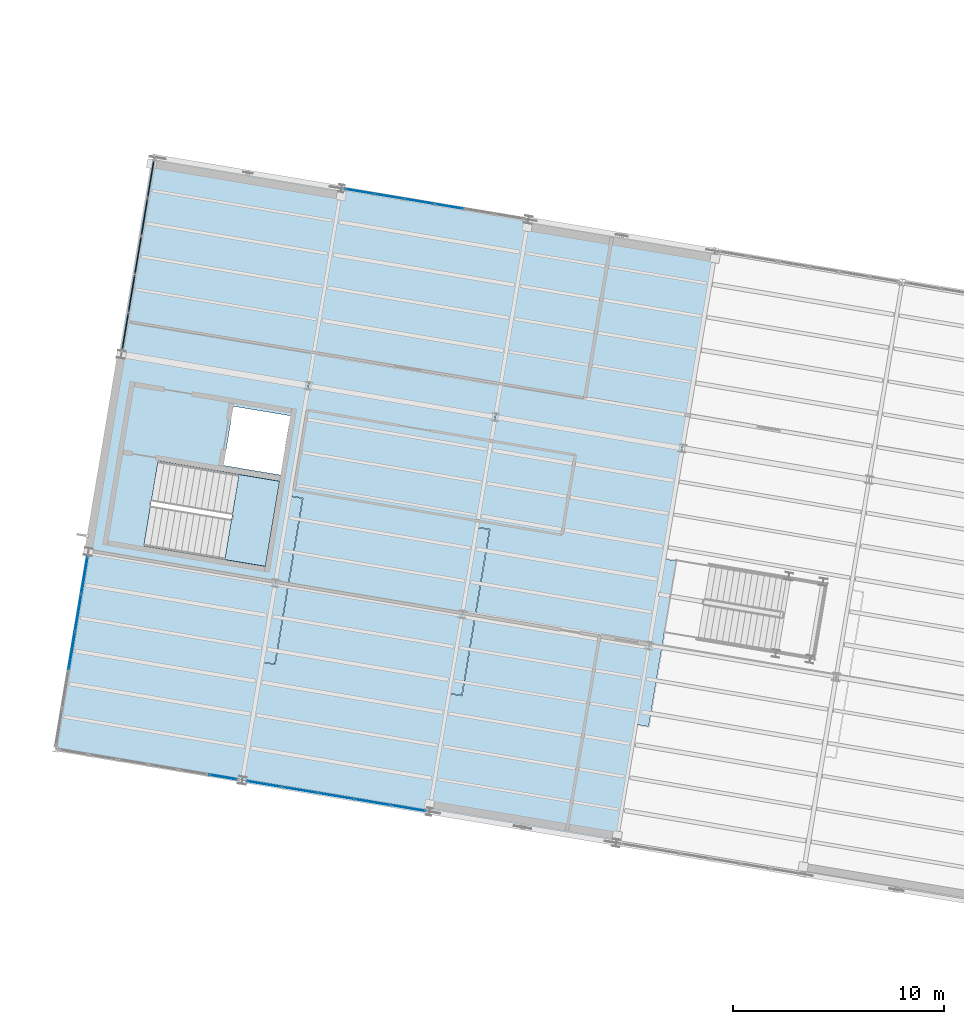
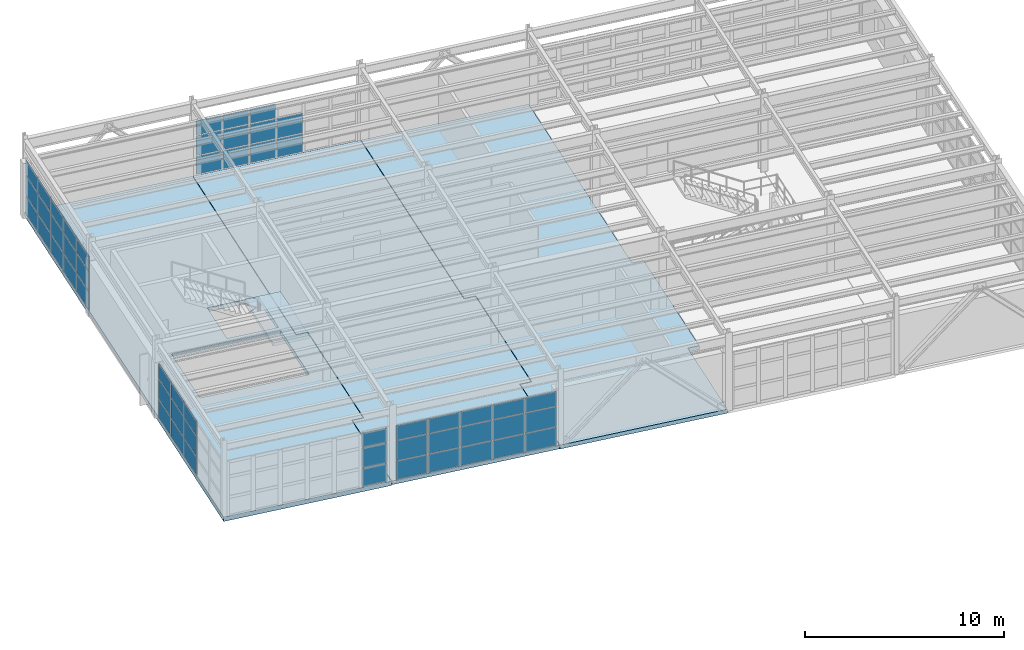
# One storey, part 69 of 109: 53 plates, 4 slabs, 6 elements without a shape of their own.
"""IFC4 building model written with IfcOpenShell, lengths in metres."""

import ifcopenshell
import ifcopenshell.guid

model = None  # the IFC model being written
_history = None  # IfcOwnerHistory: only IFC2X3 demands one
_inside = {}  # id of a spatial element -> (the spatial element, [elements in it])
_under = {}  # id of a project, library or spatial element -> (it, [spatial elements below it])
_declared = {}  # id of a project -> (the project, [libraries it declares])
_typed = {}  # id of a type object -> (the type object, [elements of that type])
_made_of = {}  # id of a material, layer set ... -> (it, [elements and type objects made of it])


def new_model(schema):
    """Start an empty IFC model of exactly this schema.

    Asked for "IFC4X3", IfcOpenShell would pick the latest addendum, in which some entities
    have other attributes; the version numbers below select the first issue.
    IFC2X3 requires an IfcOwnerHistory on every rooted entity: one is made here for all.
    """
    global model, _history
    if schema == "IFC4X3":
        model = ifcopenshell.file(schema_version=(4, 3, 0, 0))
    else:
        model = ifcopenshell.file(schema=schema)
    _inside.clear()
    _under.clear()
    _declared.clear()
    _typed.clear()
    _made_of.clear()
    _history = None
    if model.schema == "IFC2X3":
        org = make("IfcOrganization", Name="unknown")
        user = make(
            "IfcPersonAndOrganization",
            ThePerson=make("IfcPerson", FamilyName="unknown"),
            TheOrganization=org,
        )
        app = make(
            "IfcApplication",
            ApplicationDeveloper=org,
            Version="unknown",
            ApplicationFullName="unknown",
            ApplicationIdentifier="unknown",
        )
        _history = make(
            "IfcOwnerHistory",
            OwningUser=user,
            OwningApplication=app,
            ChangeAction="ADDED",
            CreationDate=0,
        )
    return model


def make(cls, **values):
    """One entity of the class cls with the attributes given. An attribute that is None is left unset."""
    return model.create_entity(
        cls, **{name: value for name, value in values.items() if value is not None}
    )


def rooted(cls, **values):
    """An entity with a GlobalId (a new one), such as an element, a storey or a relation."""
    return make(cls, GlobalId=ifcopenshell.guid.new(), OwnerHistory=_history, **values)


def si_unit(unit_type, name, prefix=None):
    """IfcSIUnit, for example si_unit("LENGTHUNIT", "METRE", prefix="MILLI")."""
    return make("IfcSIUnit", UnitType=unit_type, Prefix=prefix, Name=name)


def assignment(units):
    """IfcUnitAssignment: the units of a project."""
    return None if units is None else make("IfcUnitAssignment", Units=units)


def point(xyz):
    """IfcCartesianPoint."""
    return None if xyz is None else make("IfcCartesianPoint", Coordinates=xyz)


def direction(xyz):
    """IfcDirection."""
    return None if xyz is None else make("IfcDirection", DirectionRatios=xyz)


def frame(location, z_axis=None, x_axis=None):
    """IfcAxis2Placement3D, a coordinate frame: its origin and axes. An axis left out is left unset."""
    return make(
        "IfcAxis2Placement3D",
        Location=point(location),
        Axis=direction(z_axis),
        RefDirection=direction(x_axis),
    )


def frame_2d(location, x_axis=None):
    """IfcAxis2Placement2D, a coordinate frame in the plane: its origin and x axis."""
    return make(
        "IfcAxis2Placement2D", Location=point(location), RefDirection=direction(x_axis)
    )


def origin():
    """The frame at (0, 0, 0) with its axes left unset."""
    return frame((0.0, 0.0, 0.0))


def origin_2d():
    """The frame at (0, 0) in the plane with its x axis left unset."""
    return frame_2d((0.0, 0.0))


def place(relative_to, where):
    """IfcLocalPlacement: puts the frame where relative to a parent placement (None: the world)."""
    return make(
        "IfcLocalPlacement", PlacementRelTo=relative_to, RelativePlacement=where
    )


def context(
    kind, dimensions, precision=None, world=None, true_north=None, identifier=None
):
    """IfcGeometricRepresentationContext, for example the 3D "Model" context."""
    return make(
        "IfcGeometricRepresentationContext",
        ContextIdentifier=identifier,
        ContextType=kind,
        CoordinateSpaceDimension=dimensions,
        Precision=precision,
        WorldCoordinateSystem=world,
        TrueNorth=true_north,
    )


def subcontext(parent, identifier, kind, view, scale=None):
    """IfcGeometricRepresentationSubContext, for example "Body" below "Model"."""
    return make(
        "IfcGeometricRepresentationSubContext",
        ContextIdentifier=identifier,
        ContextType=kind,
        ParentContext=parent,
        TargetScale=scale,
        TargetView=view,
    )


def project(units=None, contexts=None):
    """IfcProject with its units and contexts."""
    return rooted(
        "IfcProject",
        Name="project",
        RepresentationContexts=contexts,
        UnitsInContext=assignment(units),
    )


def spatial(cls, under=None, at=None, **own):
    """A site, building, storey or space (cls), placed at a placement, below another one or the project."""
    s = rooted(cls, ObjectPlacement=at, **own)
    if under is not None:
        _under.setdefault(under.id(), (under, []))[1].append(s)
    return s


def polyline(points):
    """IfcPolyline through the points."""
    return make("IfcPolyline", Points=[point(p) for p in points])


def profile(cls, at=None, kind="AREA", **sizes):
    """A parametric profile (cls). Its sizes go by their IFC names, for example OverallWidth=200.0."""
    return make(cls, ProfileType=kind, Position=at, **sizes)


def rectangle(**sizes):
    """IfcRectangleProfileDef."""
    return profile("IfcRectangleProfileDef", **sizes)


def outline(outer, holes=None, kind="AREA"):
    """IfcArbitraryClosedProfileDef: a profile drawn as a closed curve; with holes, ...WithVoids."""
    if holes is None:
        return make("IfcArbitraryClosedProfileDef", ProfileType=kind, OuterCurve=outer)
    return make(
        "IfcArbitraryProfileDefWithVoids",
        ProfileType=kind,
        OuterCurve=outer,
        InnerCurves=holes,
    )


def extrude(swept, where, along, depth):
    """IfcExtrudedAreaSolid: the profile swept, set in the frame where, extruded along a direction by depth."""
    return make(
        "IfcExtrudedAreaSolid",
        SweptArea=swept,
        Position=where,
        ExtrudedDirection=direction(along),
        Depth=depth,
    )


def shape(context_of_items, identifier, shape_type, items):
    """IfcShapeRepresentation: the items that make up one representation, for example the "Body"."""
    return make(
        "IfcShapeRepresentation",
        ContextOfItems=context_of_items,
        RepresentationIdentifier=identifier,
        RepresentationType=shape_type,
        Items=items,
    )


def material(Name=None, Category=None):
    """IfcMaterial."""
    return make("IfcMaterial", Name=Name, Category=Category)


def layer(
    of_material, thickness, ventilated=None, Name=None, Category=None, Priority=None
):
    """IfcMaterialLayer: one layer of a wall or slab, of a material (None: an air gap)."""
    return make(
        "IfcMaterialLayer",
        Material=of_material,
        LayerThickness=thickness,
        IsVentilated=ventilated,
        Name=Name,
        Category=Category,
        Priority=Priority,
    )


def layer_set(layers, Name=None):
    """IfcMaterialLayerSet."""
    return make("IfcMaterialLayerSet", MaterialLayers=layers, LayerSetName=Name)


def made_of(thing, what):
    """Note that an element or type object is made of a material, layer set ...; save() writes the relation."""
    if what is not None:
        _made_of.setdefault(what.id(), (what, []))[1].append(thing)
    return thing


def type_object(cls, material=None, **own):
    """A type object (cls), such as IfcWallType, which elements share."""
    return made_of(rooted(cls, **own), material)


def element(
    cls,
    number,
    at=None,
    inside=None,
    cuts=None,
    type_object=None,
    material=None,
    context=None,
    identifier="Body",
    shape_type=None,
    held_by="IfcProductDefinitionShape",
    body=None,
    shapes=None,
    **own,
):
    """One element of the class cls, such as IfcWall. Its Tag is "e" and its number.

    at: its placement. inside: the storey or other place that contains it. cuts: it is an
    opening in that element (IfcRelVoidsElement). A single representation is given by context,
    identifier, shape_type and body (its items); several are given by shapes. held_by: the class
    of the entity that holds the representations. save() writes the other relations.
    """
    e = rooted(cls, Tag="e%d" % number, ObjectPlacement=at, **own)
    if body is not None:
        shapes = [shape(context, identifier, shape_type, body)]
    if shapes is not None:
        e.Representation = make(held_by, Representations=shapes)
    if inside is not None:
        _inside.setdefault(inside.id(), (inside, []))[1].append(e)
    if cuts is not None:
        rooted(
            "IfcRelVoidsElement", RelatingBuildingElement=cuts, RelatedOpeningElement=e
        )
    if type_object is not None:
        _typed.setdefault(type_object.id(), (type_object, []))[1].append(e)
    return made_of(e, material)


def aggregate(whole, parts):
    """IfcRelAggregates: a whole, such as a stair, and the parts it consists of."""
    return rooted("IfcRelAggregates", RelatingObject=whole, RelatedObjects=parts)


def save(model, path):
    """Write the relations noted so far, then the file.

    IfcRelAggregates (storeys below a building ...), IfcRelContainedInSpatialStructure (elements
    in a storey), IfcRelDefinesByType, IfcRelAssociatesMaterial and IfcRelDeclares: one each for
    every whole, place, type object, material and project.
    """
    for whole, parts in _under.values():
        aggregate(whole, parts)
    for where, things in _inside.values():
        rooted(
            "IfcRelContainedInSpatialStructure",
            RelatedElements=things,
            RelatingStructure=where,
        )
    for kind, things in _typed.values():
        rooted("IfcRelDefinesByType", RelatedObjects=things, RelatingType=kind)
    for what, things in _made_of.values():
        rooted("IfcRelAssociatesMaterial", RelatedObjects=things, RelatingMaterial=what)
    for by, libraries in _declared.values():
        rooted("IfcRelDeclares", RelatingContext=by, RelatedDefinitions=libraries)
    model.write(path)


model = new_model("IFC4")

# Units and contexts
model_context = context("Model", 3, precision=1e-05, world=origin(), true_north=direction((0.0, 1.0)))
body_context = subcontext(model_context, "Body", "Model", "MODEL_VIEW")
ifc_project = project(units=[si_unit("LENGTHUNIT", "METRE"), si_unit("AREAUNIT", "SQUARE_METRE"), si_unit("VOLUMEUNIT", "CUBIC_METRE"), si_unit("PLANEANGLEUNIT", "RADIAN"), si_unit("MASSUNIT", "GRAM", prefix="KILO")], contexts=[model_context])

# Site, building, storey
site_placement = place(None, origin())
site = spatial("IfcSite", under=ifc_project, at=site_placement, CompositionType="ELEMENT")
building_placement = place(site_placement, origin())
building = spatial("IfcBuilding", under=site, at=building_placement, Name="Vireo Bluff Cable Station", CompositionType="ELEMENT")
storey_placement = place(building_placement, frame((0.0, 0.0, 4.800048828125)))
storey = spatial("IfcBuildingStorey", under=building, at=storey_placement, Name="L01", CompositionType="ELEMENT", Elevation=4.800048828125)

# Curtain wall, plates
ifc_material_1 = material(Name="Anodized Aluminium 6063-T6", Category="aluminium")
ifc_layer_1 = layer(ifc_material_1, 0.179931640625, Name="Anodized Aluminium 6063-T6")
ifc_layer_set_1 = layer_set([ifc_layer_1], Name="Anodized Aluminium 6063-T6")
curtain_wall_type_1 = type_object("IfcCurtainWallType", Name="CW-UNIT-1400", PredefinedType="USERDEFINED", material=ifc_layer_set_1)
curtain_wall_1_placement = place(storey_placement, origin())
curtain_wall_1 = element("IfcCurtainWall", 1, at=curtain_wall_1_placement, inside=storey, type_object=curtain_wall_type_1, Name="V4 L01 north curtain wall CW-090", ObjectType="UNITISED CURTAIN WALL", PredefinedType="USERDEFINED")
ifc_material_2 = material(Name="Laminated Low-E Insulated Glass", Category="glass")
ifc_layer_2 = layer(ifc_material_2, 0.028076171875, Name="Laminated Low-E Insulated Glass")
ifc_layer_set_2 = layer_set([ifc_layer_2], Name="Laminated Low-E Insulated Glass")
plate_type_1 = type_object("IfcPlateType", Name="CWP-28-1", PredefinedType="CURTAIN_PANEL", material=ifc_layer_set_2)
plate_1_placement = place(storey_placement, frame((19.9375, 97.980224609375, 0.059814453125), z_axis=(0.0, 0.0, 1.0), x_axis=(0.986285618078, -0.165047507018, 0.0)))
plate_1 = element("IfcPlate", 2, at=plate_1_placement, type_object=plate_type_1, Name="CW-090 panel 1.1", PredefinedType="CURTAIN_PANEL", context=body_context, shape_type="SweptSolid", body=[
    extrude(rectangle(XDim=1.357177734375, YDim=0.028076171875, at=origin_2d()), origin(), (0.0, 0.0, 1.0), 1.10009765625),
])
plate_2_placement = place(storey_placement, frame((19.9375, 97.980224609375, 1.2197265625), z_axis=(0.0, 0.0, 1.0), x_axis=(0.986285618078, -0.165047507018, 0.0)))
plate_2 = element("IfcPlate", 3, at=plate_2_placement, type_object=plate_type_1, Name="CW-090 panel 1.2", PredefinedType="CURTAIN_PANEL", context=body_context, shape_type="SweptSolid", body=[
    extrude(rectangle(XDim=1.357177734375, YDim=0.028076171875, at=origin_2d()), origin(), (0.0, 0.0, 1.0), 1.197998046875),
])
plate_3_placement = place(storey_placement, frame((19.9375, 97.980224609375, 2.47802734375), z_axis=(0.0, 0.0, 1.0), x_axis=(0.986285618078, -0.165047507018, 0.0)))
plate_3 = element("IfcPlate", 4, at=plate_3_placement, type_object=plate_type_1, Name="CW-090 panel 1.3", PredefinedType="CURTAIN_PANEL", context=body_context, shape_type="SweptSolid", body=[
    extrude(rectangle(XDim=1.357177734375, YDim=0.028076171875, at=origin_2d()), origin(), (0.0, 0.0, 1.0), 0.862060546875),
])
plate_4_placement = place(storey_placement, frame((21.35009765625, 97.743896484375, 0.059814453125), z_axis=(0.0, 0.0, 1.0), x_axis=(0.986285618078, -0.165047507018, 0.0)))
plate_4 = element("IfcPlate", 5, at=plate_4_placement, type_object=plate_type_1, Name="CW-090 panel 2.1", PredefinedType="CURTAIN_PANEL", context=body_context, shape_type="SweptSolid", body=[
    extrude(rectangle(XDim=1.386962890625, YDim=0.028076171875, at=origin_2d()), origin(), (0.0, 0.0, 1.0), 1.10009765625),
])
plate_5_placement = place(storey_placement, frame((21.35009765625, 97.743896484375, 1.2197265625), z_axis=(0.0, 0.0, 1.0), x_axis=(0.986285618078, -0.165047507018, 0.0)))
plate_5 = element("IfcPlate", 6, at=plate_5_placement, type_object=plate_type_1, Name="CW-090 panel 2.2", PredefinedType="CURTAIN_PANEL", context=body_context, shape_type="SweptSolid", body=[
    extrude(rectangle(XDim=1.386962890625, YDim=0.028076171875, at=origin_2d()), origin(), (0.0, 0.0, 1.0), 1.197998046875),
])
plate_6_placement = place(storey_placement, frame((21.35009765625, 97.743896484375, 2.47802734375), z_axis=(0.0, 0.0, 1.0), x_axis=(0.986285618078, -0.165047507018, 0.0)))
plate_6 = element("IfcPlate", 7, at=plate_6_placement, type_object=plate_type_1, Name="CW-090 panel 2.3", PredefinedType="CURTAIN_PANEL", context=body_context, shape_type="SweptSolid", body=[
    extrude(rectangle(XDim=1.386962890625, YDim=0.028076171875, at=origin_2d()), origin(), (0.0, 0.0, 1.0), 0.862060546875),
])
plate_7_placement = place(storey_placement, frame((22.77734375, 97.505126953125, 0.059814453125), z_axis=(0.0, 0.0, 1.0), x_axis=(0.986285618078, -0.165047507018, 0.0)))
plate_7 = element("IfcPlate", 8, at=plate_7_placement, type_object=plate_type_1, Name="CW-090 panel 3.1", PredefinedType="CURTAIN_PANEL", context=body_context, shape_type="SweptSolid", body=[
    extrude(rectangle(XDim=1.386962890625, YDim=0.028076171875, at=origin_2d()), origin(), (0.0, 0.0, 1.0), 1.10009765625),
])
plate_8_placement = place(storey_placement, frame((22.77734375, 97.505126953125, 1.2197265625), z_axis=(0.0, 0.0, 1.0), x_axis=(0.986285618078, -0.165047507018, 0.0)))
plate_8 = element("IfcPlate", 9, at=plate_8_placement, type_object=plate_type_1, Name="CW-090 panel 3.2", PredefinedType="CURTAIN_PANEL", context=body_context, shape_type="SweptSolid", body=[
    extrude(rectangle(XDim=1.386962890625, YDim=0.028076171875, at=origin_2d()), origin(), (0.0, 0.0, 1.0), 1.197998046875),
])
plate_9_placement = place(storey_placement, frame((22.77734375, 97.505126953125, 2.47802734375), z_axis=(0.0, 0.0, 1.0), x_axis=(0.986285618078, -0.165047507018, 0.0)))
plate_9 = element("IfcPlate", 10, at=plate_9_placement, type_object=plate_type_1, Name="CW-090 panel 3.3", PredefinedType="CURTAIN_PANEL", context=body_context, shape_type="SweptSolid", body=[
    extrude(rectangle(XDim=1.386962890625, YDim=0.028076171875, at=origin_2d()), origin(), (0.0, 0.0, 1.0), 0.862060546875),
])
plate_10_placement = place(storey_placement, frame((24.20458984375, 97.266357421875, 0.059814453125), z_axis=(0.0, 0.0, 1.0), x_axis=(0.986285618078, -0.165047507018, 0.0)))
plate_10 = element("IfcPlate", 11, at=plate_10_placement, type_object=plate_type_1, Name="CW-090 panel 4.1", PredefinedType="CURTAIN_PANEL", context=body_context, shape_type="SweptSolid", body=[
    extrude(rectangle(XDim=1.386962890625, YDim=0.028076171875, at=origin_2d()), origin(), (0.0, 0.0, 1.0), 1.10009765625),
])
plate_11_placement = place(storey_placement, frame((24.20458984375, 97.266357421875, 1.2197265625), z_axis=(0.0, 0.0, 1.0), x_axis=(0.986285618078, -0.165047507018, 0.0)))
plate_11 = element("IfcPlate", 12, at=plate_11_placement, type_object=plate_type_1, Name="CW-090 panel 4.2", PredefinedType="CURTAIN_PANEL", context=body_context, shape_type="SweptSolid", body=[
    extrude(rectangle(XDim=1.386962890625, YDim=0.028076171875, at=origin_2d()), origin(), (0.0, 0.0, 1.0), 1.197998046875),
])
aggregate(curtain_wall_1, [plate_1, plate_2, plate_3, plate_4, plate_5, plate_6, plate_7, plate_8, plate_9, plate_10, plate_11])

ifc_layer_3 = layer(ifc_material_1, 0.179931640625, Name="Anodized Aluminium 6063-T6")
ifc_layer_set_3 = layer_set([ifc_layer_3], Name="Anodized Aluminium 6063-T6")
curtain_wall_type_2 = type_object("IfcCurtainWallType", Name="CW-UNIT-1650", PredefinedType="USERDEFINED", material=ifc_layer_set_3)
curtain_wall_2_placement = place(storey_placement, origin())
curtain_wall_2 = element("IfcCurtainWall", 13, at=curtain_wall_2_placement, inside=storey, type_object=curtain_wall_type_2, Name="V4 L01 south curtain wall CW-086", ObjectType="UNITISED CURTAIN WALL", PredefinedType="USERDEFINED")
ifc_layer_4 = layer(ifc_material_2, 0.031982421875, Name="Laminated Low-E Insulated Glass")
ifc_layer_set_4 = layer_set([ifc_layer_4], Name="Laminated Low-E Insulated Glass")
plate_type_2 = type_object("IfcPlateType", Name="CWP-32-2", PredefinedType="CURTAIN_PANEL", material=ifc_layer_set_4)
plate_12_placement = place(storey_placement, frame((22.253173828125, 68.696533203125, 0.059814453125), z_axis=(0.0, 0.0, 1.0), x_axis=(-0.986285599328, 0.165047619064, 0.0)))
plate_12 = element("IfcPlate", 14, at=plate_12_placement, type_object=plate_type_2, Name="CW-086 panel 1.1", PredefinedType="CURTAIN_PANEL", context=body_context, shape_type="SweptSolid", body=[
    extrude(rectangle(XDim=1.646484375, YDim=0.031982421875, at=origin_2d()), origin(), (0.0, 0.0, 1.0), 1.10009765625),
])
plate_13_placement = place(storey_placement, frame((22.253173828125, 68.696533203125, 1.2197265625), z_axis=(0.0, 0.0, 1.0), x_axis=(-0.986285599328, 0.165047619064, 0.0)))
plate_13 = element("IfcPlate", 15, at=plate_13_placement, type_object=plate_type_2, Name="CW-086 panel 1.2", PredefinedType="CURTAIN_PANEL", context=body_context, shape_type="SweptSolid", body=[
    extrude(rectangle(XDim=1.646484375, YDim=0.031982421875, at=origin_2d()), origin(), (0.0, 0.0, 1.0), 1.197998046875),
])
plate_14_placement = place(storey_placement, frame((22.253173828125, 68.696533203125, 2.47802734375), z_axis=(0.0, 0.0, 1.0), x_axis=(-0.986285599328, 0.165047619064, 0.0)))
plate_14 = element("IfcPlate", 16, at=plate_14_placement, type_object=plate_type_2, Name="CW-086 panel 1.3", PredefinedType="CURTAIN_PANEL", context=body_context, shape_type="SweptSolid", body=[
    extrude(rectangle(XDim=1.646484375, YDim=0.031982421875, at=origin_2d()), origin(), (0.0, 0.0, 1.0), 0.862060546875),
])
plate_15_placement = place(storey_placement, frame((20.555419921875, 68.98046875, 0.059814453125), z_axis=(0.0, 0.0, 1.0), x_axis=(-0.986285599328, 0.165047619064, 0.0)))
plate_15 = element("IfcPlate", 17, at=plate_15_placement, type_object=plate_type_2, Name="CW-086 panel 2.1", PredefinedType="CURTAIN_PANEL", context=body_context, shape_type="SweptSolid", body=[
    extrude(rectangle(XDim=1.676513671875, YDim=0.031982421875, at=origin_2d()), origin(), (0.0, 0.0, 1.0), 1.10009765625),
])
plate_16_placement = place(storey_placement, frame((20.555419921875, 68.98046875, 1.2197265625), z_axis=(0.0, 0.0, 1.0), x_axis=(-0.986285599328, 0.165047619064, 0.0)))
plate_16 = element("IfcPlate", 18, at=plate_16_placement, type_object=plate_type_2, Name="CW-086 panel 2.2", PredefinedType="CURTAIN_PANEL", context=body_context, shape_type="SweptSolid", body=[
    extrude(rectangle(XDim=1.676513671875, YDim=0.031982421875, at=origin_2d()), origin(), (0.0, 0.0, 1.0), 1.197998046875),
])
plate_17_placement = place(storey_placement, frame((20.555419921875, 68.98046875, 2.47802734375), z_axis=(0.0, 0.0, 1.0), x_axis=(-0.986285599328, 0.165047619064, 0.0)))
plate_17 = element("IfcPlate", 19, at=plate_17_placement, type_object=plate_type_2, Name="CW-086 panel 2.3", PredefinedType="CURTAIN_PANEL", context=body_context, shape_type="SweptSolid", body=[
    extrude(rectangle(XDim=1.676513671875, YDim=0.031982421875, at=origin_2d()), origin(), (0.0, 0.0, 1.0), 0.862060546875),
])
plate_18_placement = place(storey_placement, frame((18.8427734375, 69.26708984375, 0.059814453125), z_axis=(0.0, 0.0, 1.0), x_axis=(-0.986285599328, 0.165047619064, 0.0)))
plate_18 = element("IfcPlate", 20, at=plate_18_placement, type_object=plate_type_2, Name="CW-086 panel 3.1", PredefinedType="CURTAIN_PANEL", context=body_context, shape_type="SweptSolid", body=[
    extrude(rectangle(XDim=1.676513671875, YDim=0.031982421875, at=origin_2d()), origin(), (0.0, 0.0, 1.0), 1.10009765625),
])
plate_19_placement = place(storey_placement, frame((18.8427734375, 69.26708984375, 1.2197265625), z_axis=(0.0, 0.0, 1.0), x_axis=(-0.986285599328, 0.165047619064, 0.0)))
plate_19 = element("IfcPlate", 21, at=plate_19_placement, type_object=plate_type_2, Name="CW-086 panel 3.2", PredefinedType="CURTAIN_PANEL", context=body_context, shape_type="SweptSolid", body=[
    extrude(rectangle(XDim=1.676513671875, YDim=0.031982421875, at=origin_2d()), origin(), (0.0, 0.0, 1.0), 1.197998046875),
])
plate_20_placement = place(storey_placement, frame((18.8427734375, 69.26708984375, 2.47802734375), z_axis=(0.0, 0.0, 1.0), x_axis=(-0.986285599328, 0.165047619064, 0.0)))
plate_20 = element("IfcPlate", 22, at=plate_20_placement, type_object=plate_type_2, Name="CW-086 panel 3.3", PredefinedType="CURTAIN_PANEL", context=body_context, shape_type="SweptSolid", body=[
    extrude(rectangle(XDim=1.676513671875, YDim=0.031982421875, at=origin_2d()), origin(), (0.0, 0.0, 1.0), 0.862060546875),
])
plate_21_placement = place(storey_placement, frame((17.130126953125, 69.5537109375, 0.059814453125), z_axis=(0.0, 0.0, 1.0), x_axis=(-0.986285599328, 0.165047619064, 0.0)))
plate_21 = element("IfcPlate", 23, at=plate_21_placement, type_object=plate_type_2, Name="CW-086 panel 4.1", PredefinedType="CURTAIN_PANEL", context=body_context, shape_type="SweptSolid", body=[
    extrude(rectangle(XDim=1.676513671875, YDim=0.031982421875, at=origin_2d()), origin(), (0.0, 0.0, 1.0), 1.10009765625),
])
plate_22_placement = place(storey_placement, frame((17.130126953125, 69.5537109375, 1.2197265625), z_axis=(0.0, 0.0, 1.0), x_axis=(-0.986285599328, 0.165047619064, 0.0)))
plate_22 = element("IfcPlate", 24, at=plate_22_placement, type_object=plate_type_2, Name="CW-086 panel 4.2", PredefinedType="CURTAIN_PANEL", context=body_context, shape_type="SweptSolid", body=[
    extrude(rectangle(XDim=1.676513671875, YDim=0.031982421875, at=origin_2d()), origin(), (0.0, 0.0, 1.0), 1.197998046875),
])
plate_23_placement = place(storey_placement, frame((17.130126953125, 69.5537109375, 2.47802734375), z_axis=(0.0, 0.0, 1.0), x_axis=(-0.986285599328, 0.165047619064, 0.0)))
plate_23 = element("IfcPlate", 25, at=plate_23_placement, type_object=plate_type_2, Name="CW-086 panel 4.3", PredefinedType="CURTAIN_PANEL", context=body_context, shape_type="SweptSolid", body=[
    extrude(rectangle(XDim=1.676513671875, YDim=0.031982421875, at=origin_2d()), origin(), (0.0, 0.0, 1.0), 0.862060546875),
])
plate_24_placement = place(storey_placement, frame((15.43212890625, 69.837890625, 0.059814453125), z_axis=(0.0, 0.0, 1.0), x_axis=(-0.986285599328, 0.165047619064, 0.0)))
plate_24 = element("IfcPlate", 26, at=plate_24_placement, type_object=plate_type_2, Name="CW-086 panel 5.1", PredefinedType="CURTAIN_PANEL", context=body_context, shape_type="SweptSolid", body=[
    extrude(rectangle(XDim=1.646484375, YDim=0.031982421875, at=origin_2d()), origin(), (0.0, 0.0, 1.0), 1.10009765625),
])
plate_25_placement = place(storey_placement, frame((15.43212890625, 69.837890625, 1.2197265625), z_axis=(0.0, 0.0, 1.0), x_axis=(-0.986285599328, 0.165047619064, 0.0)))
plate_25 = element("IfcPlate", 27, at=plate_25_placement, type_object=plate_type_2, Name="CW-086 panel 5.2", PredefinedType="CURTAIN_PANEL", context=body_context, shape_type="SweptSolid", body=[
    extrude(rectangle(XDim=1.646484375, YDim=0.031982421875, at=origin_2d()), origin(), (0.0, 0.0, 1.0), 1.197998046875),
])
plate_26_placement = place(storey_placement, frame((15.43212890625, 69.837890625, 2.47802734375), z_axis=(0.0, 0.0, 1.0), x_axis=(-0.986285599328, 0.165047619064, 0.0)))
plate_26 = element("IfcPlate", 28, at=plate_26_placement, type_object=plate_type_2, Name="CW-086 panel 5.3", PredefinedType="CURTAIN_PANEL", context=body_context, shape_type="SweptSolid", body=[
    extrude(rectangle(XDim=1.646484375, YDim=0.031982421875, at=origin_2d()), origin(), (0.0, 0.0, 1.0), 0.862060546875),
])
aggregate(curtain_wall_2, [plate_12, plate_13, plate_14, plate_15, plate_16, plate_17, plate_18, plate_19, plate_20, plate_21, plate_22, plate_23, plate_24, plate_25, plate_26])

curtain_wall_3_placement = place(storey_placement, origin())
curtain_wall_3 = element("IfcCurtainWall", 29, at=curtain_wall_3_placement, inside=storey, type_object=curtain_wall_type_1, Name="V4 L01 south curtain wall CW-087", ObjectType="UNITISED CURTAIN WALL", PredefinedType="USERDEFINED")
ifc_layer_5 = layer(ifc_material_2, 0.035888671875, Name="Laminated Low-E Insulated Glass")
ifc_layer_set_5 = layer_set([ifc_layer_5], Name="Laminated Low-E Insulated Glass")
plate_type_3 = type_object("IfcPlateType", Name="CWP-36-3", PredefinedType="CURTAIN_PANEL", material=ifc_layer_set_5)
plate_27_placement = place(storey_placement, frame((13.458740234375, 70.168212890625, 0.080078125), z_axis=(0.0, 0.0, 1.0), x_axis=(-0.986285599325, 0.165047619081, 0.0)))
plate_27 = element("IfcPlate", 30, at=plate_27_placement, type_object=plate_type_3, Name="CW-087 panel 1.1", PredefinedType="CURTAIN_PANEL", context=body_context, shape_type="SweptSolid", body=[
    extrude(rectangle(XDim=1.3271484375, YDim=0.035888671875, at=origin_2d()), origin(), (0.0, 0.0, 1.0), 1.070068359375),
])
plate_28_placement = place(storey_placement, frame((13.458740234375, 70.168212890625, 1.22998046875), z_axis=(0.0, 0.0, 1.0), x_axis=(-0.986285599325, 0.165047619081, 0.0)))
plate_28 = element("IfcPlate", 31, at=plate_28_placement, type_object=plate_type_3, Name="CW-087 panel 1.2", PredefinedType="CURTAIN_PANEL", context=body_context, shape_type="SweptSolid", body=[
    extrude(rectangle(XDim=1.3271484375, YDim=0.035888671875, at=origin_2d()), origin(), (0.0, 0.0, 1.0), 1.177978515625),
])
plate_29_placement = place(storey_placement, frame((13.458740234375, 70.168212890625, 2.488037109375), z_axis=(0.0, 0.0, 1.0), x_axis=(-0.986285599325, 0.165047619081, 0.0)))
plate_29 = element("IfcPlate", 32, at=plate_29_placement, type_object=plate_type_3, Name="CW-087 panel 1.3", PredefinedType="CURTAIN_PANEL", context=body_context, shape_type="SweptSolid", body=[
    extrude(rectangle(XDim=1.3271484375, YDim=0.035888671875, at=origin_2d()), origin(), (0.0, 0.0, 1.0), 0.83203125),
])
aggregate(curtain_wall_3, [plate_27, plate_28, plate_29])

ifc_layer_6 = layer(ifc_material_1, 0.159912109375, Name="Anodized Aluminium 6063-T6")
ifc_layer_set_6 = layer_set([ifc_layer_6], Name="Anodized Aluminium 6063-T6")
curtain_wall_type_3 = type_object("IfcCurtainWallType", Name="CW-STICK-1750", PredefinedType="USERDEFINED", material=ifc_layer_set_6)
curtain_wall_4_placement = place(storey_placement, origin())
curtain_wall_4 = element("IfcCurtainWall", 33, at=curtain_wall_4_placement, inside=storey, type_object=curtain_wall_type_3, Name="V4 L01 west curtain wall CW-088", ObjectType="STICK CURTAIN WALL", PredefinedType="USERDEFINED")
ifc_material_3 = material(Name="Insulated Spandrel Glass Panel", Category="glass")
ifc_layer_7 = layer(ifc_material_3, 0.0419921875, Name="Insulated Spandrel Glass Panel")
ifc_layer_set_7 = layer_set([ifc_layer_7], Name="Insulated Spandrel Glass Panel")
plate_type_4 = type_object("IfcPlateType", Name="CWP-42-4", PredefinedType="CURTAIN_PANEL", material=ifc_layer_set_7)
plate_30_placement = place(storey_placement, frame((6.27978515625, 76.1591796875, 0.06494140625), z_axis=(0.0, 0.0, 1.0), x_axis=(0.165047670998, 0.986285590637, 0.0)))
plate_30 = element("IfcPlate", 34, at=plate_30_placement, type_object=plate_type_4, Name="CW-088 panel 3.1", PredefinedType="CURTAIN_PANEL", context=body_context, shape_type="SweptSolid", body=[
    extrude(rectangle(XDim=1.772705078125, YDim=0.0419921875, at=origin_2d()), origin(), (0.0, 0.0, 1.0), 1.092529296875),
])
plate_31_placement = place(storey_placement, frame((6.27978515625, 76.1591796875, 1.22216796875), z_axis=(0.0, 0.0, 1.0), x_axis=(0.165047670998, 0.986285590637, 0.0)))
plate_31 = element("IfcPlate", 35, at=plate_31_placement, type_object=plate_type_4, Name="CW-088 panel 3.2", PredefinedType="CURTAIN_PANEL", context=body_context, shape_type="SweptSolid", body=[
    extrude(rectangle(XDim=1.772705078125, YDim=0.0419921875, at=origin_2d()), origin(), (0.0, 0.0, 1.0), 1.193115234375),
])
plate_32_placement = place(storey_placement, frame((6.27978515625, 76.1591796875, 2.48046875), z_axis=(0.0, 0.0, 1.0), x_axis=(0.165047670998, 0.986285590637, 0.0)))
plate_32 = element("IfcPlate", 36, at=plate_32_placement, type_object=plate_type_4, Name="CW-088 panel 3.3", PredefinedType="CURTAIN_PANEL", context=body_context, shape_type="SweptSolid", body=[
    extrude(rectangle(XDim=1.772705078125, YDim=0.0419921875, at=origin_2d()), origin(), (0.0, 0.0, 1.0), 0.8544921875),
])
plate_33_placement = place(storey_placement, frame((6.5830078125, 77.9716796875, 0.06494140625), z_axis=(0.0, 0.0, 1.0), x_axis=(0.165047670998, 0.986285590637, 0.0)))
plate_33 = element("IfcPlate", 37, at=plate_33_placement, type_object=plate_type_4, Name="CW-088 panel 4.1", PredefinedType="CURTAIN_PANEL", context=body_context, shape_type="SweptSolid", body=[
    extrude(rectangle(XDim=1.772705078125, YDim=0.0419921875, at=origin_2d()), origin(), (0.0, 0.0, 1.0), 1.092529296875),
])
plate_34_placement = place(storey_placement, frame((6.5830078125, 77.9716796875, 1.22216796875), z_axis=(0.0, 0.0, 1.0), x_axis=(0.165047670998, 0.986285590637, 0.0)))
plate_34 = element("IfcPlate", 38, at=plate_34_placement, type_object=plate_type_4, Name="CW-088 panel 4.2", PredefinedType="CURTAIN_PANEL", context=body_context, shape_type="SweptSolid", body=[
    extrude(rectangle(XDim=1.772705078125, YDim=0.0419921875, at=origin_2d()), origin(), (0.0, 0.0, 1.0), 1.193115234375),
])
plate_35_placement = place(storey_placement, frame((6.5830078125, 77.9716796875, 2.48046875), z_axis=(0.0, 0.0, 1.0), x_axis=(0.165047670998, 0.986285590637, 0.0)))
plate_35 = element("IfcPlate", 39, at=plate_35_placement, type_object=plate_type_4, Name="CW-088 panel 4.3", PredefinedType="CURTAIN_PANEL", context=body_context, shape_type="SweptSolid", body=[
    extrude(rectangle(XDim=1.772705078125, YDim=0.0419921875, at=origin_2d()), origin(), (0.0, 0.0, 1.0), 0.8544921875),
])
plate_36_placement = place(storey_placement, frame((6.883544921875, 79.76806640625, 0.06494140625), z_axis=(0.0, 0.0, 1.0), x_axis=(0.165047670998, 0.986285590637, 0.0)))
plate_36 = element("IfcPlate", 40, at=plate_36_placement, type_object=plate_type_4, Name="CW-088 panel 5.1", PredefinedType="CURTAIN_PANEL", context=body_context, shape_type="SweptSolid", body=[
    extrude(rectangle(XDim=1.739990234375, YDim=0.0419921875, at=origin_2d()), origin(), (0.0, 0.0, 1.0), 1.092529296875),
])
plate_37_placement = place(storey_placement, frame((6.883544921875, 79.76806640625, 1.22216796875), z_axis=(0.0, 0.0, 1.0), x_axis=(0.165047670998, 0.986285590637, 0.0)))
plate_37 = element("IfcPlate", 41, at=plate_37_placement, type_object=plate_type_4, Name="CW-088 panel 5.2", PredefinedType="CURTAIN_PANEL", context=body_context, shape_type="SweptSolid", body=[
    extrude(rectangle(XDim=1.739990234375, YDim=0.0419921875, at=origin_2d()), origin(), (0.0, 0.0, 1.0), 1.193115234375),
])
plate_38_placement = place(storey_placement, frame((6.883544921875, 79.76806640625, 2.48046875), z_axis=(0.0, 0.0, 1.0), x_axis=(0.165047670998, 0.986285590637, 0.0)))
plate_38 = element("IfcPlate", 42, at=plate_38_placement, type_object=plate_type_4, Name="CW-088 panel 5.3", PredefinedType="CURTAIN_PANEL", context=body_context, shape_type="SweptSolid", body=[
    extrude(rectangle(XDim=1.739990234375, YDim=0.0419921875, at=origin_2d()), origin(), (0.0, 0.0, 1.0), 0.8544921875),
])
aggregate(curtain_wall_4, [plate_30, plate_31, plate_32, plate_33, plate_34, plate_35, plate_36, plate_37, plate_38])

ifc_layer_8 = layer(ifc_material_1, 0.159912109375, Name="Anodized Aluminium 6063-T6")
ifc_layer_set_8 = layer_set([ifc_layer_8], Name="Anodized Aluminium 6063-T6")
curtain_wall_type_4 = type_object("IfcCurtainWallType", Name="CW-STICK-1850", PredefinedType="USERDEFINED", material=ifc_layer_set_8)
curtain_wall_5_placement = place(storey_placement, origin())
curtain_wall_5 = element("IfcCurtainWall", 43, at=curtain_wall_5_placement, inside=storey, type_object=curtain_wall_type_4, Name="V4 L01 west curtain wall CW-089", ObjectType="STICK CURTAIN WALL", PredefinedType="USERDEFINED")
ifc_layer_9 = layer(ifc_material_3, 0.048095703125, Name="Insulated Spandrel Glass Panel")
ifc_layer_set_9 = layer_set([ifc_layer_9], Name="Insulated Spandrel Glass Panel")
plate_type_5 = type_object("IfcPlateType", Name="CWP-48-5", PredefinedType="CURTAIN_PANEL", material=ifc_layer_set_9)
plate_39_placement = place(storey_placement, frame((8.820556640625, 91.343505859375, 0.0751953125), z_axis=(0.0, 0.0, 1.0), x_axis=(0.165047618048, 0.986285599498, 0.0)))
plate_39 = element("IfcPlate", 44, at=plate_39_placement, type_object=plate_type_5, Name="CW-089 panel 1.1", PredefinedType="CURTAIN_PANEL", context=body_context, shape_type="SweptSolid", body=[
    extrude(rectangle(XDim=1.72509765625, YDim=0.048095703125, at=origin_2d()), origin(), (0.0, 0.0, 1.0), 1.077392578125),
])
plate_40_placement = place(storey_placement, frame((8.820556640625, 91.343505859375, 1.227294921875), z_axis=(0.0, 0.0, 1.0), x_axis=(0.165047618048, 0.986285599498, 0.0)))
plate_40 = element("IfcPlate", 45, at=plate_40_placement, type_object=plate_type_5, Name="CW-089 panel 1.2", PredefinedType="CURTAIN_PANEL", context=body_context, shape_type="SweptSolid", body=[
    extrude(rectangle(XDim=1.72509765625, YDim=0.048095703125, at=origin_2d()), origin(), (0.0, 0.0, 1.0), 1.18310546875),
])
plate_41_placement = place(storey_placement, frame((8.820556640625, 91.343505859375, 2.4853515625), z_axis=(0.0, 0.0, 1.0), x_axis=(0.165047618048, 0.986285599498, 0.0)))
plate_41 = element("IfcPlate", 46, at=plate_41_placement, type_object=plate_type_5, Name="CW-089 panel 1.3", PredefinedType="CURTAIN_PANEL", context=body_context, shape_type="SweptSolid", body=[
    extrude(rectangle(XDim=1.72509765625, YDim=0.048095703125, at=origin_2d()), origin(), (0.0, 0.0, 1.0), 0.839599609375),
])
plate_42_placement = place(storey_placement, frame((9.120849609375, 93.137451171875, 0.0751953125), z_axis=(0.0, 0.0, 1.0), x_axis=(0.165047618048, 0.986285599498, 0.0)))
plate_42 = element("IfcPlate", 47, at=plate_42_placement, type_object=plate_type_5, Name="CW-089 panel 2.1", PredefinedType="CURTAIN_PANEL", context=body_context, shape_type="SweptSolid", body=[
    extrude(rectangle(XDim=1.762451171875, YDim=0.048095703125, at=origin_2d()), origin(), (0.0, 0.0, 1.0), 1.077392578125),
])
plate_43_placement = place(storey_placement, frame((9.120849609375, 93.137451171875, 1.227294921875), z_axis=(0.0, 0.0, 1.0), x_axis=(0.165047618048, 0.986285599498, 0.0)))
plate_43 = element("IfcPlate", 48, at=plate_43_placement, type_object=plate_type_5, Name="CW-089 panel 2.2", PredefinedType="CURTAIN_PANEL", context=body_context, shape_type="SweptSolid", body=[
    extrude(rectangle(XDim=1.762451171875, YDim=0.048095703125, at=origin_2d()), origin(), (0.0, 0.0, 1.0), 1.18310546875),
])
plate_44_placement = place(storey_placement, frame((9.120849609375, 93.137451171875, 2.4853515625), z_axis=(0.0, 0.0, 1.0), x_axis=(0.165047618048, 0.986285599498, 0.0)))
plate_44 = element("IfcPlate", 49, at=plate_44_placement, type_object=plate_type_5, Name="CW-089 panel 2.3", PredefinedType="CURTAIN_PANEL", context=body_context, shape_type="SweptSolid", body=[
    extrude(rectangle(XDim=1.762451171875, YDim=0.048095703125, at=origin_2d()), origin(), (0.0, 0.0, 1.0), 0.839599609375),
])
plate_45_placement = place(storey_placement, frame((9.424072265625, 94.94970703125, 0.0751953125), z_axis=(0.0, 0.0, 1.0), x_axis=(0.165047618048, 0.986285599498, 0.0)))
plate_45 = element("IfcPlate", 50, at=plate_45_placement, type_object=plate_type_5, Name="CW-089 panel 3.1", PredefinedType="CURTAIN_PANEL", context=body_context, shape_type="SweptSolid", body=[
    extrude(rectangle(XDim=1.762451171875, YDim=0.048095703125, at=origin_2d()), origin(), (0.0, 0.0, 1.0), 1.077392578125),
])
plate_46_placement = place(storey_placement, frame((9.424072265625, 94.94970703125, 1.227294921875), z_axis=(0.0, 0.0, 1.0), x_axis=(0.165047618048, 0.986285599498, 0.0)))
plate_46 = element("IfcPlate", 51, at=plate_46_placement, type_object=plate_type_5, Name="CW-089 panel 3.2", PredefinedType="CURTAIN_PANEL", context=body_context, shape_type="SweptSolid", body=[
    extrude(rectangle(XDim=1.762451171875, YDim=0.048095703125, at=origin_2d()), origin(), (0.0, 0.0, 1.0), 1.18310546875),
])
plate_47_placement = place(storey_placement, frame((9.424072265625, 94.94970703125, 2.4853515625), z_axis=(0.0, 0.0, 1.0), x_axis=(0.165047618048, 0.986285599498, 0.0)))
plate_47 = element("IfcPlate", 52, at=plate_47_placement, type_object=plate_type_5, Name="CW-089 panel 3.3", PredefinedType="CURTAIN_PANEL", context=body_context, shape_type="SweptSolid", body=[
    extrude(rectangle(XDim=1.762451171875, YDim=0.048095703125, at=origin_2d()), origin(), (0.0, 0.0, 1.0), 0.839599609375),
])
plate_48_placement = place(storey_placement, frame((9.727294921875, 96.761962890625, 0.0751953125), z_axis=(0.0, 0.0, 1.0), x_axis=(0.165047618048, 0.986285599498, 0.0)))
plate_48 = element("IfcPlate", 53, at=plate_48_placement, type_object=plate_type_5, Name="CW-089 panel 4.1", PredefinedType="CURTAIN_PANEL", context=body_context, shape_type="SweptSolid", body=[
    extrude(rectangle(XDim=1.762451171875, YDim=0.048095703125, at=origin_2d()), origin(), (0.0, 0.0, 1.0), 1.077392578125),
])
plate_49_placement = place(storey_placement, frame((9.727294921875, 96.761962890625, 1.227294921875), z_axis=(0.0, 0.0, 1.0), x_axis=(0.165047618048, 0.986285599498, 0.0)))
plate_49 = element("IfcPlate", 54, at=plate_49_placement, type_object=plate_type_5, Name="CW-089 panel 4.2", PredefinedType="CURTAIN_PANEL", context=body_context, shape_type="SweptSolid", body=[
    extrude(rectangle(XDim=1.762451171875, YDim=0.048095703125, at=origin_2d()), origin(), (0.0, 0.0, 1.0), 1.18310546875),
])
plate_50_placement = place(storey_placement, frame((9.727294921875, 96.761962890625, 2.4853515625), z_axis=(0.0, 0.0, 1.0), x_axis=(0.165047618048, 0.986285599498, 0.0)))
plate_50 = element("IfcPlate", 55, at=plate_50_placement, type_object=plate_type_5, Name="CW-089 panel 4.3", PredefinedType="CURTAIN_PANEL", context=body_context, shape_type="SweptSolid", body=[
    extrude(rectangle(XDim=1.762451171875, YDim=0.048095703125, at=origin_2d()), origin(), (0.0, 0.0, 1.0), 0.839599609375),
])
plate_51_placement = place(storey_placement, frame((10.027587890625, 98.555908203125, 0.0751953125), z_axis=(0.0, 0.0, 1.0), x_axis=(0.165047618048, 0.986285599498, 0.0)))
plate_51 = element("IfcPlate", 56, at=plate_51_placement, type_object=plate_type_5, Name="CW-089 panel 5.1", PredefinedType="CURTAIN_PANEL", context=body_context, shape_type="SweptSolid", body=[
    extrude(rectangle(XDim=1.72509765625, YDim=0.048095703125, at=origin_2d()), origin(), (0.0, 0.0, 1.0), 1.077392578125),
])
plate_52_placement = place(storey_placement, frame((10.027587890625, 98.555908203125, 1.227294921875), z_axis=(0.0, 0.0, 1.0), x_axis=(0.165047618048, 0.986285599498, 0.0)))
plate_52 = element("IfcPlate", 57, at=plate_52_placement, type_object=plate_type_5, Name="CW-089 panel 5.2", PredefinedType="CURTAIN_PANEL", context=body_context, shape_type="SweptSolid", body=[
    extrude(rectangle(XDim=1.72509765625, YDim=0.048095703125, at=origin_2d()), origin(), (0.0, 0.0, 1.0), 1.18310546875),
])
plate_53_placement = place(storey_placement, frame((10.027587890625, 98.555908203125, 2.4853515625), z_axis=(0.0, 0.0, 1.0), x_axis=(0.165047618048, 0.986285599498, 0.0)))
plate_53 = element("IfcPlate", 58, at=plate_53_placement, type_object=plate_type_5, Name="CW-089 panel 5.3", PredefinedType="CURTAIN_PANEL", context=body_context, shape_type="SweptSolid", body=[
    extrude(rectangle(XDim=1.72509765625, YDim=0.048095703125, at=origin_2d()), origin(), (0.0, 0.0, 1.0), 0.839599609375),
])
aggregate(curtain_wall_5, [plate_39, plate_40, plate_41, plate_42, plate_43, plate_44, plate_45, plate_46, plate_47, plate_48, plate_49, plate_50, plate_51, plate_52, plate_53])

# Slabs
ifc_material_4 = material(Name="Concrete f'c 40 MPa", Category="concrete")
ifc_layer_10 = layer(ifc_material_4, 0.219970703125, Name="Concrete f'c 40 MPa")
ifc_layer_set_10 = layer_set([ifc_layer_10], Name="Concrete f'c 40 MPa")
slab_type_1 = type_object("IfcSlabType", Name="FLOORSLAB-220", PredefinedType="FLOOR", material=ifc_layer_set_10)
slab_1_placement = place(storey_placement, frame((0.0, 0.0, -0.219970703125)))
element("IfcSlab", 59, at=slab_1_placement, inside=storey, type_object=slab_type_1, Name="V4 L01 floor slab bay 2", PredefinedType="FLOOR", context=body_context, shape_type="SweptSolid", body=[
    extrude(outline(polyline([(14.386474609375, 70.012939453125), (23.2431640625, 68.53076171875), (24.18408203125, 74.152587890625), (24.795654296875, 74.05029296875), (26.112548828125, 81.9208984375), (25.501220703125, 82.023193359375), (27.947021484375, 96.639892578125), (19.09033203125, 98.1220703125), (16.647705078125, 83.525146484375), (17.259033203125, 83.422607421875), (15.935302734375, 75.5126953125), (15.323974609375, 75.614990234375), (14.386474609375, 70.012939453125)])), origin(), (0.0, 0.0, 1.0), 0.219970703125),
])
ifc_layer_11 = layer(ifc_material_4, 0.239990234375, Name="Concrete f'c 40 MPa")
ifc_layer_set_11 = layer_set([ifc_layer_11], Name="Concrete f'c 40 MPa")
slab_type_2 = type_object("IfcSlabType", Name="FLOORSLAB-240", PredefinedType="FLOOR", material=ifc_layer_set_11)
slab_2_placement = place(storey_placement, frame((0.0, 0.0, -0.239990234375)))
element("IfcSlab", 60, at=slab_2_placement, inside=storey, type_object=slab_type_2, Name="V4 L01 floor slab bay 3", PredefinedType="FLOOR", context=body_context, shape_type="SweptSolid", body=[
    extrude(outline(polyline([(23.262939453125, 68.527587890625), (32.119873046875, 67.04541015625), (33.060546875, 72.667236328125), (33.672119140625, 72.56494140625), (34.9892578125, 80.435302734375), (34.377685546875, 80.537841796875), (36.82373046875, 95.154541015625), (27.966796875, 96.63671875), (25.524169921875, 82.03955078125), (26.1357421875, 81.937255859375), (24.81201171875, 74.02734375), (24.200439453125, 74.129638671875), (23.262939453125, 68.527587890625)])), origin(), (0.0, 0.0, 1.0), 0.239990234375),
])
ifc_layer_12 = layer(ifc_material_4, 0.260009765625, Name="Concrete f'c 40 MPa")
ifc_layer_set_12 = layer_set([ifc_layer_12], Name="Concrete f'c 40 MPa")
slab_type_3 = type_object("IfcSlabType", Name="FLOORSLAB-260", PredefinedType="FLOOR", material=ifc_layer_set_12)
slab_3_placement = place(storey_placement, frame((0.0, 0.0, -0.260009765625)))
element("IfcSlab", 61, at=slab_3_placement, inside=storey, type_object=slab_type_3, Name="V4 L01 floor slab bay 1", PredefinedType="FLOOR", context=body_context, shape_type="SweptSolid", body=[
    extrude(outline(polyline([(5.5, 71.5), (14.36669921875, 70.01611328125), (15.307373046875, 75.637939453125), (15.9189453125, 75.53564453125), (17.236083984375, 83.40625), (16.62451171875, 83.508544921875), (19.070556640625, 98.125244140625), (10.203857421875, 99.609130859375), (5.5, 71.5)]), holes=[polyline([(9.699462890625, 81.139892578125), (10.3759765625, 85.18212890625), (16.14404296875, 84.216796875), (15.467529296875, 80.174560546875), (9.699462890625, 81.139892578125)]), polyline([(13.483154296875, 84.968017578125), (13.953369140625, 87.77734375), (16.6640625, 87.32373046875), (16.19384765625, 84.514404296875), (13.483154296875, 84.968017578125)])]), origin(), (0.0, 0.0, 1.0), 0.260009765625),
])

# Stair, slab
stair_type = type_object("IfcStairType", Name="STAIR-HT-1950", PredefinedType="HALF_TURN_STAIR", material=ifc_material_4)
stair_placement = place(storey_placement, origin())
stair = element("IfcStair", 62, at=stair_placement, inside=storey, type_object=stair_type, Name="L01 CORE-3 Exit Stair ST-03", PredefinedType="HALF_TURN_STAIR")
ifc_layer_13 = layer(ifc_material_4, 0.219970703125, Name="Concrete f'c 40 MPa")
ifc_layer_set_13 = layer_set([ifc_layer_13], Name="Concrete f'c 40 MPa")
slab_type_4 = type_object("IfcSlabType", Name="LANDING-220", PredefinedType="LANDING", material=ifc_layer_set_13)
slab_4_placement = place(storey_placement, frame((0.0, 0.0, 2.199951171875)))
slab_4 = element("IfcSlab", 63, at=slab_4_placement, type_object=slab_type_4, Name="ST-03 landing 1", PredefinedType="LANDING", context=body_context, shape_type="SweptSolid", body=[
    extrude(outline(polyline([(13.544189453125, 80.49560546875), (15.46826171875, 80.173828125), (16.14501953125, 84.217529296875), (14.220947265625, 84.53955078125), (13.544189453125, 80.49560546875)])), origin(), (0.0, 0.0, 1.0), 0.199951171875),
])
aggregate(stair, [slab_4])

save(model, "model.ifc")
